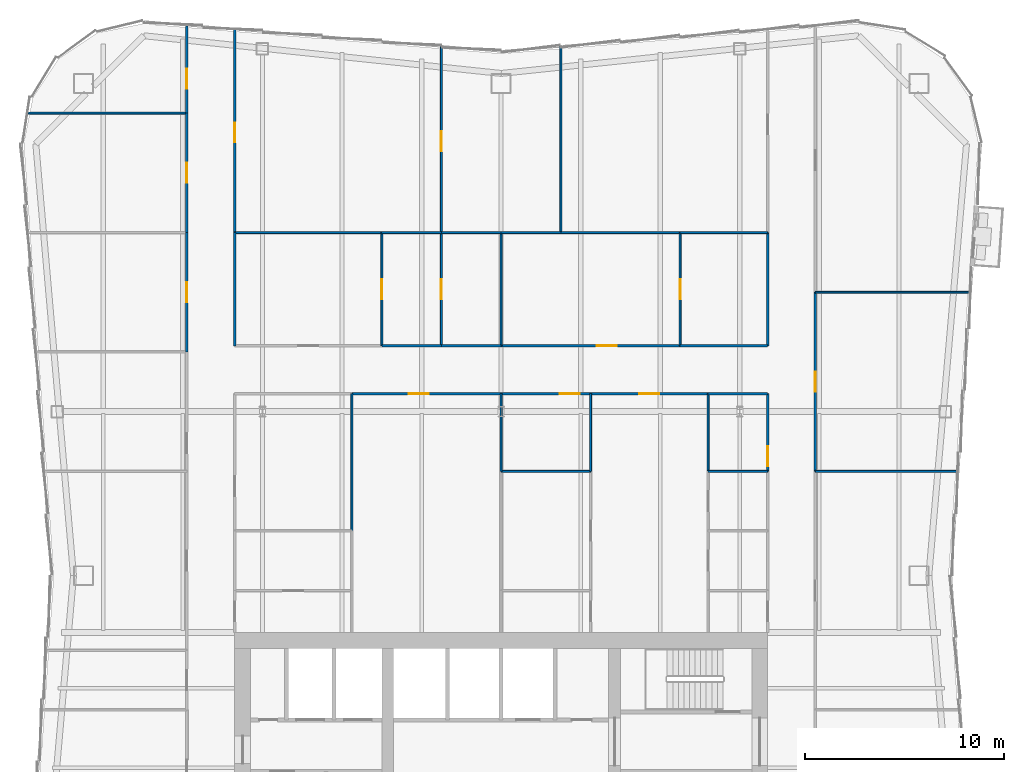
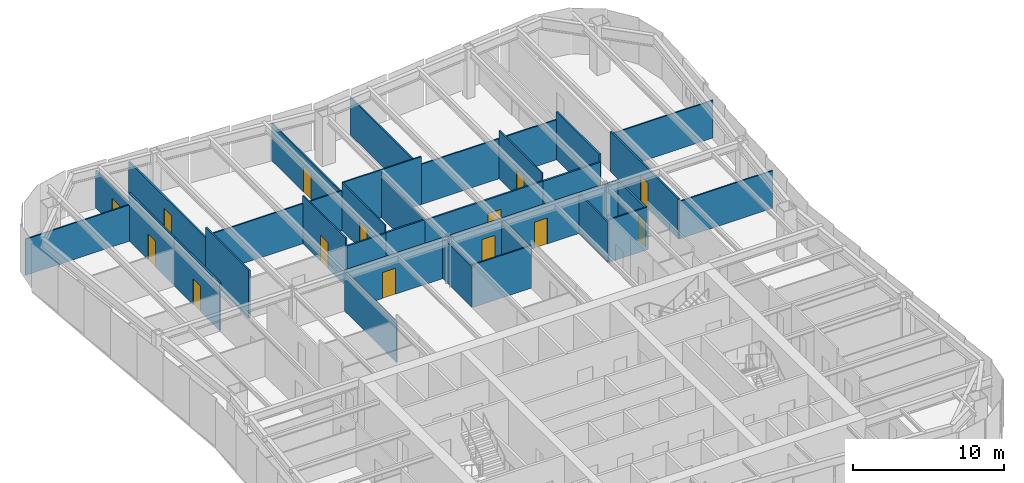
# One storey, part 9 of 12: 37 walls, 14 doors, 14 openings.
"""IFC4 building model written with IfcOpenShell, lengths in metres."""

from ifc_helpers import new_model, si_unit, direction, frame, frame_2d, origin, place, context, subcontext, project, spatial, rectangle, extrude, material, layer, layer_set, type_object, element, fill, save


model = new_model("IFC4")

# Units and contexts
model_context = context("Model", 3, precision=1e-05, world=origin(), true_north=direction((0.0, 1.0)))
body_context = subcontext(model_context, "Body", "Model", "MODEL_VIEW")
ifc_project = project(units=[si_unit("LENGTHUNIT", "METRE"), si_unit("AREAUNIT", "SQUARE_METRE"), si_unit("VOLUMEUNIT", "CUBIC_METRE"), si_unit("PLANEANGLEUNIT", "RADIAN"), si_unit("MASSUNIT", "GRAM", prefix="KILO")], contexts=[model_context])

# Site, building, storey
site_placement = place(None, origin())
site = spatial("IfcSite", under=ifc_project, at=site_placement, CompositionType="ELEMENT")
building_placement = place(site_placement, origin())
building = spatial("IfcBuilding", under=site, at=building_placement, Name="Verdant Reach Tower", CompositionType="ELEMENT")
storey_placement = place(building_placement, frame((0.0, 0.0, 266.0)))
storey = spatial("IfcBuildingStorey", under=building, at=storey_placement, Name="L61", CompositionType="ELEMENT", Elevation=266.0)

# Walls
ifc_material_1 = material(Name="Gypsum board on steel studs", Category="steel")
ifc_layer_1 = layer(ifc_material_1, 0.10009765625)
ifc_layer_set_1 = layer_set([ifc_layer_1], Name="FL-W1 Partition 100")
wall_type_1 = type_object("IfcWallType", Name="FL-W1 Partition 100", PredefinedType="PARTITIONING", material=ifc_layer_set_1)
wall_1_placement = place(storey_placement, frame((-15.800048828125, 64.5, 0.0), z_axis=(0.0, 0.0, 1.0), x_axis=(-1.0, 0.0, 0.0)))
element("IfcWall", 1, at=wall_1_placement, inside=storey, type_object=wall_type_1, Name="Partition 61.48", PredefinedType="PARTITIONING", context=body_context, shape_type="SweptSolid", body=[
    extrude(rectangle(XDim=7.9814453125, YDim=0.10009765625, at=frame_2d((3.99072265625, 0.0))), origin(), (0.0, 0.0, 1.0), 2.929931640625),
])
wall_2_placement = place(storey_placement, frame((22.942138671875, 46.5, 0.0), z_axis=(0.0, 0.0, 1.0), x_axis=(-1.0, 0.0, 0.0)))
element("IfcWall", 2, at=wall_2_placement, inside=storey, type_object=wall_type_1, Name="Partition 61.54", PredefinedType="PARTITIONING", context=body_context, shape_type="SweptSolid", body=[
    extrude(rectangle(XDim=7.14208984375, YDim=0.10009765625, at=frame_2d((3.571044921875, 0.0))), origin(), (0.0, 0.0, 1.0), 3.0400390625),
])
wall_3_placement = place(storey_placement, frame((23.562744140625, 55.5, 0.0), z_axis=(0.0, 0.0, 1.0), x_axis=(-1.0, 0.0, 0.0)))
element("IfcWall", 3, at=wall_3_placement, inside=storey, type_object=wall_type_1, Name="Partition 61.55", PredefinedType="PARTITIONING", context=body_context, shape_type="SweptSolid", body=[
    extrude(rectangle(XDim=7.7626953125, YDim=0.10009765625, at=frame_2d((3.88134765625, 0.0))), origin(), (0.0, 0.0, 1.0), 3.0400390625),
])
wall_4_placement = place(storey_placement, frame((-7.5, 43.49609375, 0.0), z_axis=(0.0, 0.0, 1.0), x_axis=(0.0, 1.0, 0.0)))
element("IfcWall", 4, at=wall_4_placement, inside=storey, type_object=wall_type_1, Name="Partition 61.63", PredefinedType="PARTITIONING", context=body_context, shape_type="SweptSolid", body=[
    extrude(rectangle(XDim=6.90380859375, YDim=0.10009765625, at=frame_2d((3.451904296875, 0.0))), origin(), (0.0, 0.0, 1.0), 3.239990234375),
])
wall_5_placement = place(storey_placement, frame((0.0, 46.5, 0.0), z_axis=(0.0, 0.0, 1.0), x_axis=(0.0, 1.0, 0.0)))
element("IfcWall", 5, at=wall_5_placement, inside=storey, type_object=wall_type_1, Name="Partition 61.66", PredefinedType="PARTITIONING", context=body_context, shape_type="SweptSolid", body=[
    extrude(rectangle(XDim=3.89990234375, YDim=0.10009765625, at=frame_2d((1.949951171875, 0.0))), origin(), (0.0, 0.0, 1.0), 3.2900390625),
])
wall_6_placement = place(storey_placement, frame((13.39990234375, 46.5, 0.0), z_axis=(0.0, 0.0, 1.0), x_axis=(-1.0, 0.0, 0.0)))
element("IfcWall", 6, at=wall_6_placement, inside=storey, type_object=wall_type_1, Name="Partition 61.71", PredefinedType="PARTITIONING", context=body_context, shape_type="SweptSolid", body=[
    extrude(rectangle(XDim=3.0, YDim=0.10009765625, at=frame_2d((1.5, 0.0))), origin(), (0.0, 0.0, 1.0), 3.43994140625),
])
wall_7_placement = place(storey_placement, frame((10.39990234375, 50.39990234375, 0.0), z_axis=(0.0, 0.0, 1.0), x_axis=(0.0, -1.0, 0.0)))
element("IfcWall", 7, at=wall_7_placement, inside=storey, type_object=wall_type_1, Name="Partition 61.73", PredefinedType="PARTITIONING", context=body_context, shape_type="SweptSolid", body=[
    extrude(rectangle(XDim=3.90380859375, YDim=0.10009765625, at=frame_2d((1.951904296875, 0.0))), origin(), (0.0, 0.0, 1.0), 3.239990234375),
])
wall_8_placement = place(storey_placement, frame((4.5, 50.39990234375, 0.0), z_axis=(0.0, 0.0, 1.0), x_axis=(0.0, -1.0, 0.0)))
element("IfcWall", 8, at=wall_8_placement, inside=storey, type_object=wall_type_1, Name="Partition 61.76", PredefinedType="PARTITIONING", context=body_context, shape_type="SweptSolid", body=[
    extrude(rectangle(XDim=3.89990234375, YDim=0.10009765625, at=frame_2d((1.949951171875, 0.0))), origin(), (0.0, 0.0, 1.0), 3.239990234375),
])
wall_9_placement = place(storey_placement, frame((4.5, 46.5, 0.0), z_axis=(0.0, 0.0, 1.0), x_axis=(-1.0, 0.0, 0.0)))
element("IfcWall", 9, at=wall_9_placement, inside=storey, type_object=wall_type_1, Name="Partition 61.78", PredefinedType="PARTITIONING", context=body_context, shape_type="SweptSolid", body=[
    extrude(rectangle(XDim=4.5, YDim=0.10009765625, at=frame_2d((2.25, 0.0))), origin(), (0.0, 0.0, 1.0), 3.43994140625),
])

# Wall, opening, door
wall_10_placement = place(storey_placement, frame((-6.0, 58.5, 0.0), z_axis=(0.0, 0.0, 1.0), x_axis=(0.0, -1.0, 0.0)))
wall_10 = element("IfcWall", 10, at=wall_10_placement, inside=storey, type_object=wall_type_1, Name="Partition 61.79", PredefinedType="PARTITIONING", context=body_context, shape_type="SweptSolid", body=[
    extrude(rectangle(XDim=5.699951171875, YDim=0.10009765625, at=frame_2d((2.85009765625, 0.0))), origin(), (0.0, 0.0, 1.0), 3.8701171875),
])
opening_1_placement = place(wall_10_placement, frame((2.35009765625, 0.0, 0.0)))
opening_1 = element("IfcOpeningElement", 11, at=opening_1_placement, cuts=wall_10, Name="Opening D3", PredefinedType="OPENING", context=body_context, shape_type="SweptSolid", body=[
    extrude(rectangle(XDim=1.0, YDim=2.10009765625, at=frame_2d((0.5, 1.050048828125))), frame((0.0, 0.06005859375, 0.0), z_axis=(0.0, -1.0, 0.0), x_axis=(1.0, 0.0, 0.0)), (0.0, 0.0, 1.0), 0.1201171875),
])
ifc_material_2 = material(Name="Painted timber door leaf", Category="wood")
door_type_1 = type_object("IfcDoorType", Name="FL-D3 Door 1000x2100", OperationType="NOTDEFINED", PredefinedType="DOOR", material=ifc_material_2)
door_1_placement = place(opening_1_placement, origin())
door_1 = element("IfcDoor", 12, at=door_1_placement, inside=storey, type_object=door_type_1, Name="Door 61-038", OperationType="SINGLE_SWING_RIGHT", OverallHeight=2.10009765625, OverallWidth=1.0, PredefinedType="DOOR", context=body_context, shape_type="SweptSolid", body=[
    extrude(rectangle(XDim=1.0, YDim=2.10009765625, at=frame_2d((0.5, 1.050048828125))), frame((0.0, 0.02490234375, 0.0), z_axis=(0.0, -1.0, 0.0), x_axis=(1.0, 0.0, 0.0)), (0.0, 0.0, 1.0), 0.050048828125),
])
fill(opening_1, door_1)

# Wall
wall_11_placement = place(storey_placement, frame((-5.99609375, 58.5, 0.0), z_axis=(0.0, 0.0, 1.0), x_axis=(-1.0, 0.0, 0.0)))
element("IfcWall", 13, at=wall_11_placement, inside=storey, type_object=wall_type_1, Name="Partition 61.80", PredefinedType="PARTITIONING", context=body_context, shape_type="SweptSolid", body=[
    extrude(rectangle(XDim=7.40380859375, YDim=0.10009765625, at=frame_2d((3.701904296875, 0.0))), origin(), (0.0, 0.0, 1.0), 3.239990234375),
])

# Wall, opening, door
wall_12_placement = place(storey_placement, frame((-3.0, 58.5, 0.0), z_axis=(0.0, 0.0, 1.0), x_axis=(0.0, -1.0, 0.0)))
wall_12 = element("IfcWall", 14, at=wall_12_placement, inside=storey, type_object=wall_type_1, Name="Partition 61.81", PredefinedType="PARTITIONING", context=body_context, shape_type="SweptSolid", body=[
    extrude(rectangle(XDim=5.699951171875, YDim=0.10009765625, at=frame_2d((2.85009765625, 0.0))), origin(), (0.0, 0.0, 1.0), 3.8701171875),
])
opening_2_placement = place(wall_12_placement, frame((2.35009765625, 0.0, 0.0)))
opening_2 = element("IfcOpeningElement", 15, at=opening_2_placement, cuts=wall_12, Name="Opening D3", PredefinedType="OPENING", context=body_context, shape_type="SweptSolid", body=[
    extrude(rectangle(XDim=1.0, YDim=2.10009765625, at=frame_2d((0.5, 1.050048828125))), frame((0.0, 0.06005859375, 0.0), z_axis=(0.0, -1.0, 0.0), x_axis=(1.0, 0.0, 0.0)), (0.0, 0.0, 1.0), 0.1201171875),
])
door_2_placement = place(opening_2_placement, origin())
door_2 = element("IfcDoor", 16, at=door_2_placement, inside=storey, type_object=door_type_1, Name="Door 61-039", OperationType="SINGLE_SWING_LEFT", OverallHeight=2.10009765625, OverallWidth=1.0, PredefinedType="DOOR", context=body_context, shape_type="SweptSolid", body=[
    extrude(rectangle(XDim=1.0, YDim=2.10009765625, at=frame_2d((0.5, 1.050048828125))), frame((0.0, 0.02490234375, 0.0), z_axis=(0.0, -1.0, 0.0), x_axis=(1.0, 0.0, 0.0)), (0.0, 0.0, 1.0), 0.050048828125),
])
fill(opening_2, door_2)

# Walls
wall_13_placement = place(storey_placement, frame((-3.0, 58.5, 0.0), z_axis=(0.0, 0.0, 1.0), x_axis=(-1.0, 0.0, 0.0)))
element("IfcWall", 17, at=wall_13_placement, inside=storey, type_object=wall_type_1, Name="Partition 61.82", PredefinedType="PARTITIONING", context=body_context, shape_type="SweptSolid", body=[
    extrude(rectangle(XDim=3.00390625, YDim=0.10009765625, at=frame_2d((1.501953125, 0.0))), origin(), (0.0, 0.0, 1.0), 3.239990234375),
])
wall_14_placement = place(storey_placement, frame((0.0, 52.800048828125, 0.0), z_axis=(0.0, 0.0, 1.0), x_axis=(0.0, 1.0, 0.0)))
element("IfcWall", 18, at=wall_14_placement, inside=storey, type_object=wall_type_1, Name="Partition 61.83", PredefinedType="PARTITIONING", context=body_context, shape_type="SweptSolid", body=[
    extrude(rectangle(XDim=5.699951171875, YDim=0.10009765625, at=frame_2d((2.85009765625, 0.0))), origin(), (0.0, 0.0, 1.0), 3.2900390625),
])
wall_15_placement = place(storey_placement, frame((0.00390625, 58.5, 0.0), z_axis=(0.0, 0.0, 1.0), x_axis=(-1.0, 0.0, 0.0)))
element("IfcWall", 19, at=wall_15_placement, inside=storey, type_object=wall_type_1, Name="Partition 61.84", PredefinedType="PARTITIONING", context=body_context, shape_type="SweptSolid", body=[
    extrude(rectangle(XDim=3.00390625, YDim=0.10009765625, at=frame_2d((1.501953125, 0.0))), origin(), (0.0, 0.0, 1.0), 3.8701171875),
])

# Wall, opening, door
wall_16_placement = place(storey_placement, frame((9.0, 58.5, 0.0), z_axis=(0.0, 0.0, 1.0), x_axis=(0.0, -1.0, 0.0)))
wall_16 = element("IfcWall", 20, at=wall_16_placement, inside=storey, type_object=wall_type_1, Name="Partition 61.85", PredefinedType="PARTITIONING", context=body_context, shape_type="SweptSolid", body=[
    extrude(rectangle(XDim=5.699951171875, YDim=0.10009765625, at=frame_2d((2.85009765625, 0.0))), origin(), (0.0, 0.0, 1.0), 3.8701171875),
])
opening_3_placement = place(wall_16_placement, frame((2.35009765625, 0.0, 0.0)))
opening_3 = element("IfcOpeningElement", 21, at=opening_3_placement, cuts=wall_16, Name="Opening D3", PredefinedType="OPENING", context=body_context, shape_type="SweptSolid", body=[
    extrude(rectangle(XDim=1.0, YDim=2.10009765625, at=frame_2d((0.5, 1.050048828125))), frame((0.0, 0.06005859375, 0.0), z_axis=(0.0, -1.0, 0.0), x_axis=(1.0, 0.0, 0.0)), (0.0, 0.0, 1.0), 0.1201171875),
])
door_3_placement = place(opening_3_placement, origin())
door_3 = element("IfcDoor", 22, at=door_3_placement, inside=storey, type_object=door_type_1, Name="Door 61-040", OperationType="SINGLE_SWING_RIGHT", OverallHeight=2.10009765625, OverallWidth=1.0, PredefinedType="DOOR", context=body_context, shape_type="SweptSolid", body=[
    extrude(rectangle(XDim=1.0, YDim=2.10009765625, at=frame_2d((0.5, 1.050048828125))), frame((0.0, 0.02490234375, 0.0), z_axis=(0.0, -1.0, 0.0), x_axis=(1.0, 0.0, 0.0)), (0.0, 0.0, 1.0), 0.050048828125),
])
fill(opening_3, door_3)

# Walls
wall_17_placement = place(storey_placement, frame((3.0, 58.5, 0.0), z_axis=(0.0, 0.0, 1.0), x_axis=(-1.0, 0.0, 0.0)))
element("IfcWall", 23, at=wall_17_placement, inside=storey, type_object=wall_type_1, Name="Partition 61.86", PredefinedType="PARTITIONING", context=body_context, shape_type="SweptSolid", body=[
    extrude(rectangle(XDim=3.00390625, YDim=0.10009765625, at=frame_2d((1.501953125, 0.0))), origin(), (0.0, 0.0, 1.0), 3.8701171875),
])
wall_18_placement = place(storey_placement, frame((9.00390625, 58.5, 0.0), z_axis=(0.0, 0.0, 1.0), x_axis=(-1.0, 0.0, 0.0)))
element("IfcWall", 24, at=wall_18_placement, inside=storey, type_object=wall_type_1, Name="Partition 61.87", PredefinedType="PARTITIONING", context=body_context, shape_type="SweptSolid", body=[
    extrude(rectangle(XDim=6.00390625, YDim=0.10009765625, at=frame_2d((3.001953125, 0.0))), origin(), (0.0, 0.0, 1.0), 3.239990234375),
])
wall_19_placement = place(storey_placement, frame((13.39990234375, 58.5, 0.0), z_axis=(0.0, 0.0, 1.0), x_axis=(-1.0, 0.0, 0.0)))
element("IfcWall", 25, at=wall_19_placement, inside=storey, type_object=wall_type_1, Name="Partition 61.88", PredefinedType="PARTITIONING", context=body_context, shape_type="SweptSolid", body=[
    extrude(rectangle(XDim=4.40380859375, YDim=0.10009765625, at=frame_2d((2.201904296875, 0.0))), origin(), (0.0, 0.0, 1.0), 3.239990234375),
])

# Wall, opening, door
wall_20_placement = place(storey_placement, frame((-3.0, 67.830078125, 0.0), z_axis=(0.0, 0.0, 1.0), x_axis=(0.0, -1.0, 0.0)))
wall_20 = element("IfcWall", 26, at=wall_20_placement, inside=storey, type_object=wall_type_1, Name="Partition 61.89", PredefinedType="PARTITIONING", context=body_context, shape_type="SweptSolid", body=[
    extrude(rectangle(XDim=9.330078125, YDim=0.10009765625, at=frame_2d((4.6650390625, 0.0))), origin(), (0.0, 0.0, 1.0), 3.0400390625),
])
opening_4_placement = place(wall_20_placement, frame((4.22998046875, 0.0, 0.0)))
opening_4 = element("IfcOpeningElement", 27, at=opening_4_placement, cuts=wall_20, Name="Opening D3", PredefinedType="OPENING", context=body_context, shape_type="SweptSolid", body=[
    extrude(rectangle(XDim=1.0, YDim=2.10009765625, at=frame_2d((0.5, 1.050048828125))), frame((0.0, 0.06005859375, 0.0), z_axis=(0.0, -1.0, 0.0), x_axis=(1.0, 0.0, 0.0)), (0.0, 0.0, 1.0), 0.1201171875),
])
door_4_placement = place(opening_4_placement, origin())
door_4 = element("IfcDoor", 28, at=door_4_placement, inside=storey, type_object=door_type_1, Name="Door 61-041", OperationType="SINGLE_SWING_RIGHT", OverallHeight=2.10009765625, OverallWidth=1.0, PredefinedType="DOOR", context=body_context, shape_type="SweptSolid", body=[
    extrude(rectangle(XDim=1.0, YDim=2.10009765625, at=frame_2d((0.5, 1.050048828125))), frame((0.0, 0.02490234375, 0.0), z_axis=(0.0, -1.0, 0.0), x_axis=(1.0, 0.0, 0.0)), (0.0, 0.0, 1.0), 0.050048828125),
])
fill(opening_4, door_4)

# Wall
wall_21_placement = place(storey_placement, frame((3.0, 58.5, 0.0), z_axis=(0.0, 0.0, 1.0), x_axis=(0.0, 1.0, 0.0)))
element("IfcWall", 29, at=wall_21_placement, inside=storey, type_object=wall_type_1, Name="Partition 61.90", PredefinedType="PARTITIONING", context=body_context, shape_type="SweptSolid", body=[
    extrude(rectangle(XDim=9.330078125, YDim=0.10009765625, at=frame_2d((4.6650390625, 0.0))), origin(), (0.0, 0.0, 1.0), 3.0400390625),
])

# Wall, opening, door
ifc_material_3 = material(Name="Gypsum board on steel studs, fire rated", Category="steel")
ifc_layer_2 = layer(ifc_material_3, 0.125)
ifc_layer_set_2 = layer_set([ifc_layer_2], Name="FL-W2 Corridor wall 125")
wall_type_2 = type_object("IfcWallType", Name="FL-W2 Corridor wall 125", PredefinedType="PARTITIONING", material=ifc_layer_set_2)
wall_22_placement = place(storey_placement, frame((-15.800048828125, 52.5, 0.0), z_axis=(0.0, 0.0, 1.0), x_axis=(0.0, 1.0, 0.0)))
wall_22 = element("IfcWall", 30, at=wall_22_placement, inside=storey, type_object=wall_type_2, Name="Partition 61.07", PredefinedType="PARTITIONING", context=body_context, shape_type="SweptSolid", body=[
    extrude(rectangle(XDim=6.0, YDim=0.125, at=frame_2d((3.0, 0.0))), origin(), (0.0, 0.0, 1.0), 3.8701171875),
])
opening_5_placement = place(wall_22_placement, frame((2.5, 0.0, 0.0)))
opening_5 = element("IfcOpeningElement", 31, at=opening_5_placement, cuts=wall_22, Name="Opening D2", PredefinedType="OPENING", context=body_context, shape_type="SweptSolid", body=[
    extrude(rectangle(XDim=1.0, YDim=2.10009765625, at=frame_2d((0.5, 1.050048828125))), frame((0.0, 0.072509765625, 0.0), z_axis=(0.0, -1.0, 0.0), x_axis=(1.0, 0.0, 0.0)), (0.0, 0.0, 1.0), 0.14501953125),
])
ifc_material_4 = material(Name="Timber door leaf, fire rated", Category="wood")
door_type_2 = type_object("IfcDoorType", Name="FL-D2 Entrance door 1000x2100 FD30", OperationType="NOTDEFINED", PredefinedType="DOOR", material=ifc_material_4)
door_5_placement = place(opening_5_placement, origin())
door_5 = element("IfcDoor", 32, at=door_5_placement, inside=storey, type_object=door_type_2, Name="Door 61-007", OperationType="SINGLE_SWING_LEFT", OverallHeight=2.10009765625, OverallWidth=1.0, PredefinedType="DOOR", context=body_context, shape_type="SweptSolid", body=[
    extrude(rectangle(XDim=1.0, YDim=2.10009765625, at=frame_2d((0.5, 1.050048828125))), frame((0.0, 0.02490234375, 0.0), z_axis=(0.0, -1.0, 0.0), x_axis=(1.0, 0.0, 0.0)), (0.0, 0.0, 1.0), 0.050048828125),
])
fill(opening_5, door_5)

wall_23_placement = place(storey_placement, frame((-15.800048828125, 58.5, 0.0), z_axis=(0.0, 0.0, 1.0), x_axis=(0.0, 1.0, 0.0)))
wall_23 = element("IfcWall", 33, at=wall_23_placement, inside=storey, type_object=wall_type_2, Name="Partition 61.08", PredefinedType="PARTITIONING", context=body_context, shape_type="SweptSolid", body=[
    extrude(rectangle(XDim=6.0, YDim=0.125, at=frame_2d((3.0, 0.0))), origin(), (0.0, 0.0, 1.0), 3.8701171875),
])
opening_6_placement = place(wall_23_placement, frame((2.5, 0.0, 0.0)))
opening_6 = element("IfcOpeningElement", 34, at=opening_6_placement, cuts=wall_23, Name="Opening D2", PredefinedType="OPENING", context=body_context, shape_type="SweptSolid", body=[
    extrude(rectangle(XDim=1.0, YDim=2.10009765625, at=frame_2d((0.5, 1.050048828125))), frame((0.0, 0.072509765625, 0.0), z_axis=(0.0, -1.0, 0.0), x_axis=(1.0, 0.0, 0.0)), (0.0, 0.0, 1.0), 0.14501953125),
])
door_6_placement = place(opening_6_placement, origin())
door_6 = element("IfcDoor", 35, at=door_6_placement, inside=storey, type_object=door_type_2, Name="Door 61-008", OperationType="SINGLE_SWING_RIGHT", OverallHeight=2.10009765625, OverallWidth=1.0, PredefinedType="DOOR", context=body_context, shape_type="SweptSolid", body=[
    extrude(rectangle(XDim=1.0, YDim=2.10009765625, at=frame_2d((0.5, 1.050048828125))), frame((0.0, 0.02490234375, 0.0), z_axis=(0.0, -1.0, 0.0), x_axis=(1.0, 0.0, 0.0)), (0.0, 0.0, 1.0), 0.050048828125),
])
fill(opening_6, door_6)

wall_24_placement = place(storey_placement, frame((-15.800048828125, 64.5, 0.0), z_axis=(0.0, 0.0, 1.0), x_axis=(0.0, 1.0, 0.0)))
wall_24 = element("IfcWall", 36, at=wall_24_placement, inside=storey, type_object=wall_type_2, Name="Partition 61.09", PredefinedType="PARTITIONING", context=body_context, shape_type="SweptSolid", body=[
    extrude(rectangle(XDim=4.396728515625, YDim=0.125, at=frame_2d((2.1982421875, 0.0))), origin(), (0.0, 0.0, 1.0), 3.0400390625),
])
opening_7_placement = place(wall_24_placement, frame((1.233154296875, 0.0, 0.0)))
opening_7 = element("IfcOpeningElement", 37, at=opening_7_placement, cuts=wall_24, Name="Opening D2", PredefinedType="OPENING", context=body_context, shape_type="SweptSolid", body=[
    extrude(rectangle(XDim=1.0, YDim=2.10009765625, at=frame_2d((0.5, 1.050048828125))), frame((0.0, 0.072509765625, 0.0), z_axis=(0.0, -1.0, 0.0), x_axis=(1.0, 0.0, 0.0)), (0.0, 0.0, 1.0), 0.14501953125),
])
door_7_placement = place(opening_7_placement, origin())
door_7 = element("IfcDoor", 38, at=door_7_placement, inside=storey, type_object=door_type_2, Name="Door 61-009", OperationType="SINGLE_SWING_LEFT", OverallHeight=2.10009765625, OverallWidth=1.0, PredefinedType="DOOR", context=body_context, shape_type="SweptSolid", body=[
    extrude(rectangle(XDim=1.0, YDim=2.10009765625, at=frame_2d((0.5, 1.050048828125))), frame((0.0, 0.02490234375, 0.0), z_axis=(0.0, -1.0, 0.0), x_axis=(1.0, 0.0, 0.0)), (0.0, 0.0, 1.0), 0.050048828125),
])
fill(opening_7, door_7)

wall_25_placement = place(storey_placement, frame((15.800048828125, 55.5, 0.0), z_axis=(0.0, 0.0, 1.0), x_axis=(0.0, -1.0, 0.0)))
wall_25 = element("IfcWall", 39, at=wall_25_placement, inside=storey, type_object=wall_type_2, Name="Partition 61.16", PredefinedType="PARTITIONING", context=body_context, shape_type="SweptSolid", body=[
    extrude(rectangle(XDim=9.0, YDim=0.125, at=frame_2d((4.5, 0.0))), origin(), (0.0, 0.0, 1.0), 3.239990234375),
])
opening_8_placement = place(wall_25_placement, frame((4.0, 0.0, 0.0)))
opening_8 = element("IfcOpeningElement", 40, at=opening_8_placement, cuts=wall_25, Name="Opening D2", PredefinedType="OPENING", context=body_context, shape_type="SweptSolid", body=[
    extrude(rectangle(XDim=1.0, YDim=2.10009765625, at=frame_2d((0.5, 1.050048828125))), frame((0.0, 0.072509765625, 0.0), z_axis=(0.0, -1.0, 0.0), x_axis=(1.0, 0.0, 0.0)), (0.0, 0.0, 1.0), 0.14501953125),
])
door_8_placement = place(opening_8_placement, origin())
door_8 = element("IfcDoor", 41, at=door_8_placement, inside=storey, type_object=door_type_2, Name="Door 61-016", OperationType="SINGLE_SWING_RIGHT", OverallHeight=2.10009765625, OverallWidth=1.0, PredefinedType="DOOR", context=body_context, shape_type="SweptSolid", body=[
    extrude(rectangle(XDim=1.0, YDim=2.10009765625, at=frame_2d((0.5, 1.050048828125))), frame((0.0, 0.02490234375, 0.0), z_axis=(0.0, -1.0, 0.0), x_axis=(1.0, 0.0, 0.0)), (0.0, 0.0, 1.0), 0.050048828125),
])
fill(opening_8, door_8)

wall_26_placement = place(storey_placement, frame((0.0, 50.39990234375, 0.0), z_axis=(0.0, 0.0, 1.0), x_axis=(-1.0, 0.0, 0.0)))
wall_26 = element("IfcWall", 42, at=wall_26_placement, inside=storey, type_object=wall_type_2, Name="Partition 61.24", PredefinedType="PARTITIONING", context=body_context, shape_type="SweptSolid", body=[
    extrude(rectangle(XDim=7.5, YDim=0.125, at=frame_2d((3.75, 0.0))), origin(), (0.0, 0.0, 1.0), 3.239990234375),
])
opening_9_placement = place(wall_26_placement, frame((3.64990234375, 0.0, 0.0)))
opening_9 = element("IfcOpeningElement", 43, at=opening_9_placement, cuts=wall_26, Name="Opening D2", PredefinedType="OPENING", context=body_context, shape_type="SweptSolid", body=[
    extrude(rectangle(XDim=1.0, YDim=2.10009765625, at=frame_2d((0.5, 1.050048828125))), frame((0.0, 0.072509765625, 0.0), z_axis=(0.0, -1.0, 0.0), x_axis=(1.0, 0.0, 0.0)), (0.0, 0.0, 1.0), 0.14501953125),
])
door_9_placement = place(opening_9_placement, origin())
door_9 = element("IfcDoor", 44, at=door_9_placement, inside=storey, type_object=door_type_2, Name="Door 61-022", OperationType="SINGLE_SWING_RIGHT", OverallHeight=2.10009765625, OverallWidth=1.0, PredefinedType="DOOR", context=body_context, shape_type="SweptSolid", body=[
    extrude(rectangle(XDim=1.0, YDim=2.10009765625, at=frame_2d((0.5, 1.050048828125))), frame((0.0, 0.02490234375, 0.0), z_axis=(0.0, -1.0, 0.0), x_axis=(1.0, 0.0, 0.0)), (0.0, 0.0, 1.0), 0.050048828125),
])
fill(opening_9, door_9)

# Wall
wall_27_placement = place(storey_placement, frame((13.39990234375, 50.39990234375, 0.0), z_axis=(0.0, 0.0, 1.0), x_axis=(-1.0, 0.0, 0.0)))
element("IfcWall", 45, at=wall_27_placement, inside=storey, type_object=wall_type_2, Name="Partition 61.28", PredefinedType="PARTITIONING", context=body_context, shape_type="SweptSolid", body=[
    extrude(rectangle(XDim=3.0, YDim=0.125, at=frame_2d((1.5, 0.0))), origin(), (0.0, 0.0, 1.0), 3.239990234375),
])

# Wall, opening, door
wall_28_placement = place(storey_placement, frame((13.39990234375, 46.5, 0.0), z_axis=(0.0, 0.0, 1.0), x_axis=(0.0, 1.0, 0.0)))
wall_28 = element("IfcWall", 46, at=wall_28_placement, inside=storey, type_object=wall_type_2, Name="Partition 61.29", PredefinedType="PARTITIONING", context=body_context, shape_type="SweptSolid", body=[
    extrude(rectangle(XDim=3.89990234375, YDim=0.125, at=frame_2d((1.949951171875, 0.0))), origin(), (0.0, 0.0, 1.0), 3.239990234375),
])
opening_10_placement = place(wall_28_placement, frame((0.25, 0.0, 0.0)))
opening_10 = element("IfcOpeningElement", 47, at=opening_10_placement, cuts=wall_28, Name="Opening D2", PredefinedType="OPENING", context=body_context, shape_type="SweptSolid", body=[
    extrude(rectangle(XDim=1.0, YDim=2.10009765625, at=frame_2d((0.5, 1.050048828125))), frame((0.0, 0.072509765625, 0.0), z_axis=(0.0, -1.0, 0.0), x_axis=(1.0, 0.0, 0.0)), (0.0, 0.0, 1.0), 0.14501953125),
])
door_10_placement = place(opening_10_placement, origin())
door_10 = element("IfcDoor", 48, at=door_10_placement, inside=storey, type_object=door_type_2, Name="Door 61-024", OperationType="SINGLE_SWING_LEFT", OverallHeight=2.10009765625, OverallWidth=1.0, PredefinedType="DOOR", context=body_context, shape_type="SweptSolid", body=[
    extrude(rectangle(XDim=1.0, YDim=2.10009765625, at=frame_2d((0.5, 1.050048828125))), frame((0.0, 0.02490234375, 0.0), z_axis=(0.0, -1.0, 0.0), x_axis=(1.0, 0.0, 0.0)), (0.0, 0.0, 1.0), 0.050048828125),
])
fill(opening_10, door_10)

wall_29_placement = place(storey_placement, frame((10.39990234375, 50.39990234375, 0.0), z_axis=(0.0, 0.0, 1.0), x_axis=(-1.0, 0.0, 0.0)))
wall_29 = element("IfcWall", 49, at=wall_29_placement, inside=storey, type_object=wall_type_2, Name="Partition 61.30", PredefinedType="PARTITIONING", context=body_context, shape_type="SweptSolid", body=[
    extrude(rectangle(XDim=5.89990234375, YDim=0.125, at=frame_2d((2.949951171875, 0.0))), origin(), (0.0, 0.0, 1.0), 3.239990234375),
])
opening_11_placement = place(wall_29_placement, frame((2.449951171875, 0.0, 0.0)))
opening_11 = element("IfcOpeningElement", 50, at=opening_11_placement, cuts=wall_29, Name="Opening D2", PredefinedType="OPENING", context=body_context, shape_type="SweptSolid", body=[
    extrude(rectangle(XDim=1.0, YDim=2.10009765625, at=frame_2d((0.5, 1.050048828125))), frame((0.0, 0.072509765625, 0.0), z_axis=(0.0, -1.0, 0.0), x_axis=(1.0, 0.0, 0.0)), (0.0, 0.0, 1.0), 0.14501953125),
])
door_11_placement = place(opening_11_placement, origin())
door_11 = element("IfcDoor", 51, at=door_11_placement, inside=storey, type_object=door_type_2, Name="Door 61-025", OperationType="SINGLE_SWING_LEFT", OverallHeight=2.10009765625, OverallWidth=1.0, PredefinedType="DOOR", context=body_context, shape_type="SweptSolid", body=[
    extrude(rectangle(XDim=1.0, YDim=2.10009765625, at=frame_2d((0.5, 1.050048828125))), frame((0.0, 0.02490234375, 0.0), z_axis=(0.0, -1.0, 0.0), x_axis=(1.0, 0.0, 0.0)), (0.0, 0.0, 1.0), 0.050048828125),
])
fill(opening_11, door_11)

wall_30_placement = place(storey_placement, frame((4.5, 50.39990234375, 0.0), z_axis=(0.0, 0.0, 1.0), x_axis=(-1.0, 0.0, 0.0)))
wall_30 = element("IfcWall", 52, at=wall_30_placement, inside=storey, type_object=wall_type_2, Name="Partition 61.31", PredefinedType="PARTITIONING", context=body_context, shape_type="SweptSolid", body=[
    extrude(rectangle(XDim=4.5, YDim=0.125, at=frame_2d((2.25, 0.0))), origin(), (0.0, 0.0, 1.0), 3.239990234375),
])
opening_12_placement = place(wall_30_placement, frame((0.550048828125, 0.0, 0.0)))
opening_12 = element("IfcOpeningElement", 53, at=opening_12_placement, cuts=wall_30, Name="Opening D2", PredefinedType="OPENING", context=body_context, shape_type="SweptSolid", body=[
    extrude(rectangle(XDim=1.0, YDim=2.10009765625, at=frame_2d((0.5, 1.050048828125))), frame((0.0, 0.072509765625, 0.0), z_axis=(0.0, -1.0, 0.0), x_axis=(1.0, 0.0, 0.0)), (0.0, 0.0, 1.0), 0.14501953125),
])
door_12_placement = place(opening_12_placement, origin())
door_12 = element("IfcDoor", 54, at=door_12_placement, inside=storey, type_object=door_type_2, Name="Door 61-026", OperationType="SINGLE_SWING_LEFT", OverallHeight=2.10009765625, OverallWidth=1.0, PredefinedType="DOOR", context=body_context, shape_type="SweptSolid", body=[
    extrude(rectangle(XDim=1.0, YDim=2.10009765625, at=frame_2d((0.5, 1.050048828125))), frame((0.0, 0.02490234375, 0.0), z_axis=(0.0, -1.0, 0.0), x_axis=(1.0, 0.0, 0.0)), (0.0, 0.0, 1.0), 0.050048828125),
])
fill(opening_12, door_12)

# Walls
wall_31_placement = place(storey_placement, frame((-13.39990234375, 52.800048828125, 0.0), z_axis=(0.0, 0.0, 1.0), x_axis=(0.0, 1.0, 0.0)))
element("IfcWall", 55, at=wall_31_placement, inside=storey, type_object=wall_type_2, Name="Partition 61.33", PredefinedType="PARTITIONING", context=body_context, shape_type="SweptSolid", body=[
    extrude(rectangle(XDim=5.699951171875, YDim=0.125, at=frame_2d((2.85009765625, 0.0))), origin(), (0.0, 0.0, 1.0), 3.8701171875),
])
wall_32_placement = place(storey_placement, frame((-3.0, 52.800048828125, 0.0), z_axis=(0.0, 0.0, 1.0), x_axis=(-1.0, 0.0, 0.0)))
element("IfcWall", 56, at=wall_32_placement, inside=storey, type_object=wall_type_2, Name="Partition 61.34", PredefinedType="PARTITIONING", context=body_context, shape_type="SweptSolid", body=[
    extrude(rectangle(XDim=3.0, YDim=0.125, at=frame_2d((1.5, 0.0))), origin(), (0.0, 0.0, 1.0), 3.239990234375),
])
wall_33_placement = place(storey_placement, frame((0.0, 52.800048828125, 0.0), z_axis=(0.0, 0.0, 1.0), x_axis=(-1.0, 0.0, 0.0)))
element("IfcWall", 57, at=wall_33_placement, inside=storey, type_object=wall_type_2, Name="Partition 61.35", PredefinedType="PARTITIONING", context=body_context, shape_type="SweptSolid", body=[
    extrude(rectangle(XDim=3.0, YDim=0.125, at=frame_2d((1.5, 0.0))), origin(), (0.0, 0.0, 1.0), 3.2900390625),
])

# Wall, opening, door
wall_34_placement = place(storey_placement, frame((0.0, 52.800048828125, 0.0), z_axis=(0.0, 0.0, 1.0), x_axis=(1.0, 0.0, 0.0)))
wall_34 = element("IfcWall", 58, at=wall_34_placement, inside=storey, type_object=wall_type_2, Name="Partition 61.36", PredefinedType="PARTITIONING", context=body_context, shape_type="SweptSolid", body=[
    extrude(rectangle(XDim=9.0, YDim=0.125, at=frame_2d((4.5, 0.0))), origin(), (0.0, 0.0, 1.0), 3.239990234375),
])
opening_13_placement = place(wall_34_placement, frame((4.800048828125, 0.0, 0.0)))
opening_13 = element("IfcOpeningElement", 59, at=opening_13_placement, cuts=wall_34, Name="Opening D2", PredefinedType="OPENING", context=body_context, shape_type="SweptSolid", body=[
    extrude(rectangle(XDim=1.0, YDim=2.10009765625, at=frame_2d((0.5, 1.050048828125))), frame((0.0, 0.072509765625, 0.0), z_axis=(0.0, -1.0, 0.0), x_axis=(1.0, 0.0, 0.0)), (0.0, 0.0, 1.0), 0.14501953125),
])
door_13_placement = place(opening_13_placement, origin())
door_13 = element("IfcDoor", 60, at=door_13_placement, inside=storey, type_object=door_type_2, Name="Door 61-028", OperationType="SINGLE_SWING_RIGHT", OverallHeight=2.10009765625, OverallWidth=1.0, PredefinedType="DOOR", context=body_context, shape_type="SweptSolid", body=[
    extrude(rectangle(XDim=1.0, YDim=2.10009765625, at=frame_2d((0.5, 1.050048828125))), frame((0.0, 0.02490234375, 0.0), z_axis=(0.0, -1.0, 0.0), x_axis=(1.0, 0.0, 0.0)), (0.0, 0.0, 1.0), 0.050048828125),
])
fill(opening_13, door_13)

# Walls
wall_35_placement = place(storey_placement, frame((13.39990234375, 52.800048828125, 0.0), z_axis=(0.0, 0.0, 1.0), x_axis=(0.0, 1.0, 0.0)))
element("IfcWall", 61, at=wall_35_placement, inside=storey, type_object=wall_type_2, Name="Partition 61.37", PredefinedType="PARTITIONING", context=body_context, shape_type="SweptSolid", body=[
    extrude(rectangle(XDim=5.699951171875, YDim=0.125, at=frame_2d((2.85009765625, 0.0))), origin(), (0.0, 0.0, 1.0), 3.8701171875),
])
wall_36_placement = place(storey_placement, frame((13.39990234375, 52.800048828125, 0.0), z_axis=(0.0, 0.0, 1.0), x_axis=(-1.0, 0.0, 0.0)))
element("IfcWall", 62, at=wall_36_placement, inside=storey, type_object=wall_type_2, Name="Partition 61.38", PredefinedType="PARTITIONING", context=body_context, shape_type="SweptSolid", body=[
    extrude(rectangle(XDim=4.39990234375, YDim=0.125, at=frame_2d((2.199951171875, 0.0))), origin(), (0.0, 0.0, 1.0), 3.239990234375),
])

# Wall, opening, door
wall_37_placement = place(storey_placement, frame((-13.39990234375, 68.69677734375, 0.0), z_axis=(0.0, 0.0, 1.0), x_axis=(0.0, -1.0, 0.0)))
wall_37 = element("IfcWall", 63, at=wall_37_placement, inside=storey, type_object=wall_type_2, Name="Partition 61.39", PredefinedType="PARTITIONING", context=body_context, shape_type="SweptSolid", body=[
    extrude(rectangle(XDim=10.19677734375, YDim=0.125, at=frame_2d((5.098388671875, 0.0))), origin(), (0.0, 0.0, 1.0), 3.0400390625),
])
opening_14_placement = place(wall_37_placement, frame((4.663330078125, 0.0, 0.0)))
opening_14 = element("IfcOpeningElement", 64, at=opening_14_placement, cuts=wall_37, Name="Opening D2", PredefinedType="OPENING", context=body_context, shape_type="SweptSolid", body=[
    extrude(rectangle(XDim=1.0, YDim=2.10009765625, at=frame_2d((0.5, 1.050048828125))), frame((0.0, 0.072509765625, 0.0), z_axis=(0.0, -1.0, 0.0), x_axis=(1.0, 0.0, 0.0)), (0.0, 0.0, 1.0), 0.14501953125),
])
door_14_placement = place(opening_14_placement, origin())
door_14 = element("IfcDoor", 65, at=door_14_placement, inside=storey, type_object=door_type_2, Name="Door 61-029", OperationType="SINGLE_SWING_RIGHT", OverallHeight=2.10009765625, OverallWidth=1.0, PredefinedType="DOOR", context=body_context, shape_type="SweptSolid", body=[
    extrude(rectangle(XDim=1.0, YDim=2.10009765625, at=frame_2d((0.5, 1.050048828125))), frame((0.0, 0.02490234375, 0.0), z_axis=(0.0, -1.0, 0.0), x_axis=(1.0, 0.0, 0.0)), (0.0, 0.0, 1.0), 0.050048828125),
])
fill(opening_14, door_14)

save(model, "model.ifc")
